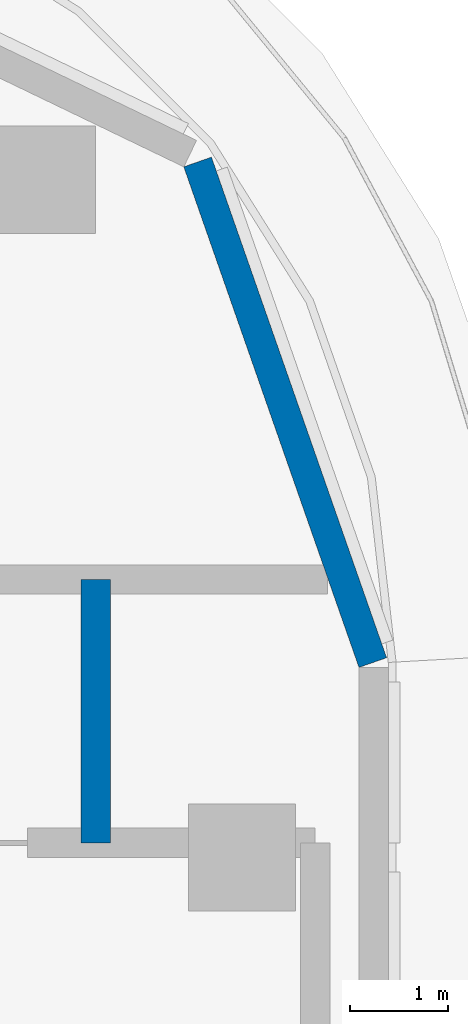
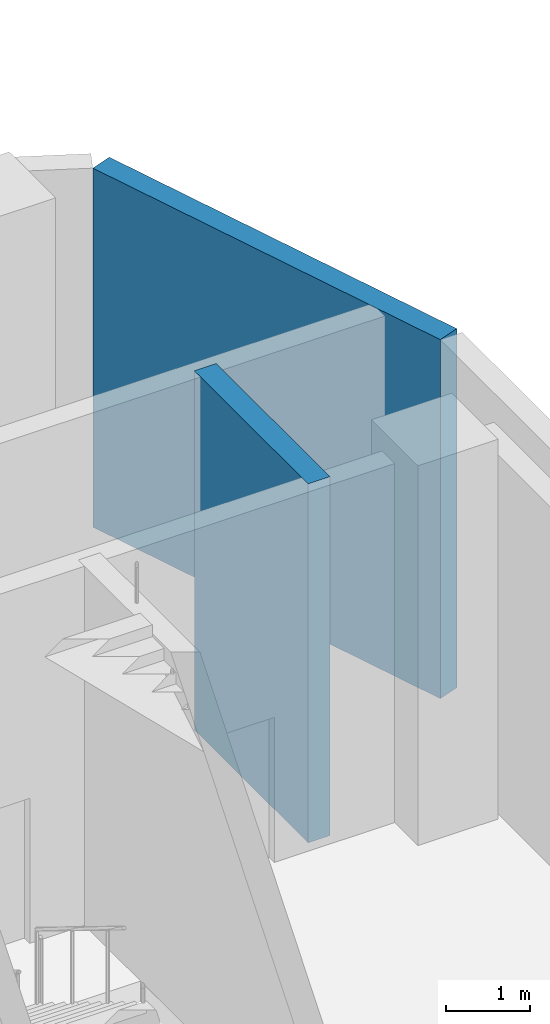
# One storey, part 7 of 18: 2 walls.
"""IFC4 building model written with IfcOpenShell, lengths in metres."""

from ifc_helpers import new_model, si_unit, direction, frame, frame_2d, origin, place, context, subcontext, project, spatial, rectangle, extrude, material, layer, layer_set, type_object, element, save


model = new_model("IFC4")

# Units and contexts
model_context = context("Model", 3, precision=1e-05, world=origin(), true_north=direction((0.0, 1.0)))
body_context = subcontext(model_context, "Body", "Model", "MODEL_VIEW")
ifc_project = project(units=[si_unit("LENGTHUNIT", "METRE"), si_unit("AREAUNIT", "SQUARE_METRE"), si_unit("VOLUMEUNIT", "CUBIC_METRE"), si_unit("PLANEANGLEUNIT", "RADIAN"), si_unit("MASSUNIT", "GRAM", prefix="KILO")], contexts=[model_context])

# Site, building, storey
site_placement = place(None, origin())
site = spatial("IfcSite", under=ifc_project, at=site_placement, CompositionType="ELEMENT")
building_placement = place(site_placement, origin())
building = spatial("IfcBuilding", under=site, at=building_placement, Name="Ogive Portal Towers", CompositionType="ELEMENT")
storey_placement = place(building_placement, frame((0.0, 0.0, 190.300048828125)))
storey = spatial("IfcBuildingStorey", under=building, at=storey_placement, Name="L47", CompositionType="ELEMENT", Elevation=190.300048828125)

# Walls
ifc_material_1 = material(Name="Limestone cladding on lightweight block wall", Category="masonry")
ifc_layer_1 = layer(ifc_material_1, 0.300048828125)
ifc_layer_set_1 = layer_set([ifc_layer_1], Name="EXTERNAL WALL 300 STONE")
wall_type_1 = type_object("IfcWallType", Name="EXTERNAL WALL 300 STONE", PredefinedType="SOLIDWALL", material=ifc_layer_set_1)
wall_1_placement = place(storey_placement, frame((95.841552734375, 32.49853515625, 0.0), z_axis=(0.0, 0.0, 1.0), x_axis=(-0.330290447423, 0.943879346284, 0.0)))
element("IfcWall", 1, at=wall_1_placement, inside=storey, type_object=wall_type_1, Name="A:L47:f10:r0:wall", PredefinedType="SOLIDWALL", context=body_context, shape_type="SweptSolid", body=[
    extrude(rectangle(XDim=5.439453125, YDim=0.300048828125, at=frame_2d((2.7197265625, 0.0))), origin(), (0.0, 0.0, 1.0), 5.199951171875),
])
ifc_material_2 = material(Name="Gypsum board partition on steel studs", Category="steel")
ifc_layer_2 = layer(ifc_material_2, 0.300048828125)
ifc_layer_set_2 = layer_set([ifc_layer_2], Name="WT-PART-300-EI 120")
wall_type_2 = type_object("IfcWallType", Name="WT-PART-300-EI 120", PredefinedType="PARTITIONING", material=ifc_layer_set_2)
wall_2_placement = place(storey_placement, frame((93.0, 30.64990234375, 0.0), z_axis=(0.0, 0.0, 1.0), x_axis=(0.0, 1.0, 0.0)))
element("IfcWall", 2, at=wall_2_placement, inside=storey, type_object=wall_type_2, Name="Wall L47:w032", PredefinedType="PARTITIONING", context=body_context, shape_type="SweptSolid", body=[
    extrude(rectangle(XDim=2.7001953125, YDim=0.300048828125, at=frame_2d((1.35009765625, 0.0))), origin(), (0.0, 0.0, 1.0), 5.199951171875),
])

save(model, "model.ifc")
